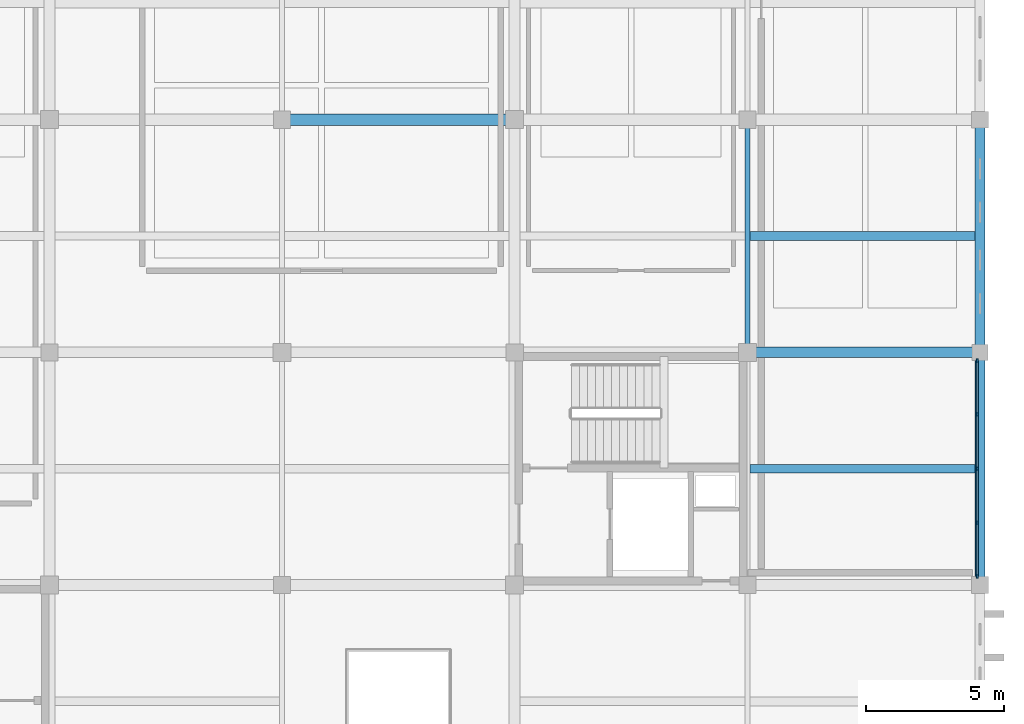
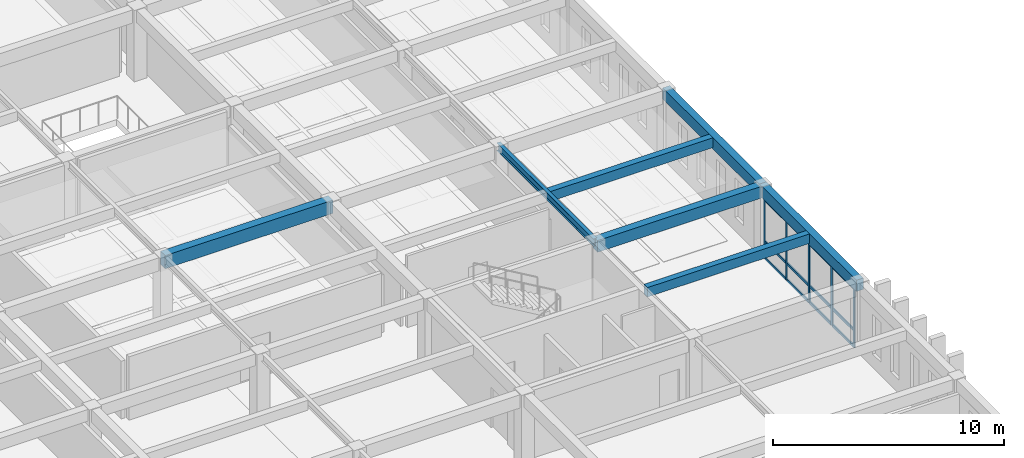
# One storey, part 13 of 47: 17 members, 7 beams, 1 element without a shape of its own.
"""IFC4 building model written with IfcOpenShell, lengths in metres."""

from ifc_helpers import new_model, si_unit, direction, frame, origin, origin_2d, place, context, subcontext, project, spatial, rectangle, i_section, extrude, material, layer, layer_set, material_profile, profile_set, type_object, element, aggregate, save


model = new_model("IFC4")

# Units and contexts
model_context = context("Model", 3, precision=1e-05, world=origin(), true_north=direction((0.0, 1.0)))
body_context = subcontext(model_context, "Body", "Model", "MODEL_VIEW")
ifc_project = project(units=[si_unit("LENGTHUNIT", "METRE"), si_unit("AREAUNIT", "SQUARE_METRE"), si_unit("VOLUMEUNIT", "CUBIC_METRE"), si_unit("PLANEANGLEUNIT", "RADIAN"), si_unit("MASSUNIT", "GRAM", prefix="KILO")], contexts=[model_context])

# Site, building, storey
site_placement = place(None, origin())
site = spatial("IfcSite", under=ifc_project, at=site_placement, CompositionType="ELEMENT")
building_placement = place(site_placement, origin())
building = spatial("IfcBuilding", under=site, at=building_placement, Name="Kveldsbrygga Polytechnic", CompositionType="ELEMENT")
storey_placement = place(building_placement, frame((0.0, 0.0, 13.93994140625)))
storey = spatial("IfcBuildingStorey", under=building, at=storey_placement, Name="L03", CompositionType="ELEMENT", Elevation=13.93994140625)

# Beams
ifc_material_1 = material(Name="Concrete C35/45", Category="concrete")
ifc_material_profile_1 = material_profile(ifc_material_1, rectangle(XDim=0.3798828125, YDim=0.6201171875, at=origin_2d()), Name="RC 380x620")
ifc_profile_set_1 = profile_set([ifc_material_profile_1], Name="Concrete C35/45")
beam_type_1 = type_object("IfcBeamType", Name="BM-RC-380x620", PredefinedType="BEAM", material=ifc_profile_set_1)
beam_1_placement = place(storey_placement, frame((159.60009765625, 42.0, 3.43994140625), z_axis=(1.0, 0.0, 0.0), x_axis=(0.0, 1.0, 0.0)))
element("IfcBeam", 1, at=beam_1_placement, inside=storey, type_object=beam_type_1, Name="Primary Beam BMX-L03-19to20-05", PredefinedType="BEAM", context=body_context, shape_type="SweptSolid", body=[
    extrude(rectangle(XDim=0.3798828125, YDim=0.6201171875, at=origin_2d()), origin(), (0.0, 0.0, 1.0), 8.39990234375),
])
ifc_material_profile_2 = material_profile(ifc_material_1, rectangle(XDim=0.39990234375, YDim=0.699951171875, at=origin_2d()), Name="RC 400x700")
ifc_profile_set_2 = profile_set([ifc_material_profile_2], Name="Concrete C35/45")
beam_type_2 = type_object("IfcBeamType", Name="BM-RC-400x700", PredefinedType="BEAM", material=ifc_profile_set_2)
beam_2_placement = place(storey_placement, frame((142.800048828125, 50.39990234375, 3.400146484375), z_axis=(1.0, 0.0, 0.0), x_axis=(0.0, 1.0, 0.0)))
element("IfcBeam", 2, at=beam_2_placement, inside=storey, type_object=beam_type_2, Name="Primary Beam BMX-L03-17to18-06", PredefinedType="BEAM", context=body_context, shape_type="SweptSolid", body=[
    extrude(rectangle(XDim=0.39990234375, YDim=0.699951171875, at=origin_2d()), origin(), (0.0, 0.0, 1.0), 8.39990234375),
])
ifc_material_profile_3 = material_profile(ifc_material_1, rectangle(XDim=0.35009765625, YDim=0.60009765625, at=origin_2d()), Name="RC 350x600")
ifc_profile_set_3 = profile_set([ifc_material_profile_3], Name="Concrete C35/45")
beam_type_3 = type_object("IfcBeamType", Name="BM-SPANDREL-600", PredefinedType="T_BEAM", material=ifc_profile_set_3)
for number, where, z_axis, x_axis, name in (
    (3, (168.0, 33.60009765625, 3.449951171875), (0.0, 1.0, 0.0), (-1.0, 0.0, 0.0), "Primary Beam BMY-L03-20-04to05"),
    (4, (168.0, 42.0, 3.449951171875), (0.0, 1.0, 0.0), (-1.0, 0.0, 0.0), "Primary Beam BMY-L03-20-05to06"),
):
    element("IfcBeam", number, at=place(storey_placement, frame(where, z_axis=z_axis, x_axis=x_axis)), inside=storey, type_object=beam_type_3, Name=name, PredefinedType="T_BEAM", context=body_context, shape_type="SweptSolid", body=[
        extrude(rectangle(XDim=0.35009765625, YDim=0.60009765625, at=origin_2d()), origin(), (0.0, 0.0, 1.0), 8.39990234375),
    ])
ifc_material_2 = material(Name="Steel S355", Category="steel")
ifc_material_profile_4 = material_profile(ifc_material_2, i_section(OverallWidth=0.179931640625, OverallDepth=0.39990234375, WebThickness=0.008544921875, FlangeThickness=0.013427734375, FilletRadius=0.02099609375, at=origin_2d()), Name="IPE 400")
ifc_profile_set_4 = profile_set([ifc_material_profile_4], Name="Steel S355")
beam_type_4 = type_object("IfcBeamType", Name="BM-STL-IPE400", PredefinedType="BEAM", material=ifc_profile_set_4)
beam_3_placement = place(storey_placement, frame((159.60009765625, 42.0, 3.550048828125), z_axis=(0.0, 1.0, 0.0), x_axis=(-1.0, 0.0, 0.0)))
element("IfcBeam", 5, at=beam_3_placement, inside=storey, type_object=beam_type_4, Name="Primary Beam BMY-L03-19-05to06", PredefinedType="BEAM", context=body_context, shape_type="SweptSolid", body=[
    extrude(i_section(OverallWidth=0.179931640625, OverallDepth=0.39990234375, WebThickness=0.008544921875, FlangeThickness=0.013427734375, FilletRadius=0.02099609375, at=origin_2d()), origin(), (0.0, 0.0, 1.0), 8.39990234375),
])

# Curtain wall, members
ifc_material_3 = material(Name="Anodised aluminium AW-6060", Category="aluminium")
ifc_layer = layer(ifc_material_3, 0.199951171875)
ifc_layer_set = layer_set([ifc_layer], Name="Anodised aluminium AW-6060")
curtain_wall_type = type_object("IfcCurtainWallType", Name="CW-LANC-E", PredefinedType="USERDEFINED", material=ifc_layer_set)
curtain_wall_placement = place(storey_placement, origin())
curtain_wall = element("IfcCurtainWall", 6, at=curtain_wall_placement, inside=storey, type_object=curtain_wall_type, Name="Curtain Wall CW-L03-Y-20-04", ObjectType="UNITISED CURTAIN WALL", PredefinedType="USERDEFINED")
ifc_material_profile_5 = material_profile(ifc_material_3, rectangle(XDim=0.06005859375, YDim=0.139892578125, at=origin_2d()), Name="ALU 60x140")
ifc_profile_set_5 = profile_set([ifc_material_profile_5], Name="Anodised aluminium AW-6060")
member_type_1 = type_object("IfcMemberType", Name="CW-MUL-140", PredefinedType="MULLION", material=ifc_profile_set_5)
member_1_placement = place(storey_placement, frame((167.89990234375, 33.9150390625, 0.0), z_axis=(0.0, 0.0, 1.0), x_axis=(-1.0, 0.0, 0.0)))
member_1 = element("IfcMember", 7, at=member_1_placement, type_object=member_type_1, Name="CW-05 mullion 1", PredefinedType="MULLION", context=body_context, shape_type="SweptSolid", body=[
    extrude(rectangle(XDim=0.06005859375, YDim=0.139892578125, at=origin_2d()), origin(), (0.0, 0.0, 1.0), 3.150146484375),
])
member_2_placement = place(storey_placement, frame((167.89990234375, 35.844970703125, 0.0), z_axis=(0.0, 0.0, 1.0), x_axis=(-1.0, 0.0, 0.0)))
member_2 = element("IfcMember", 8, at=member_2_placement, type_object=member_type_1, Name="CW-05 mullion 2", PredefinedType="MULLION", context=body_context, shape_type="SweptSolid", body=[
    extrude(rectangle(XDim=0.06005859375, YDim=0.139892578125, at=origin_2d()), origin(), (0.0, 0.0, 1.0), 3.150146484375),
])
member_3_placement = place(storey_placement, frame((167.89990234375, 37.804931640625, 0.0), z_axis=(0.0, 0.0, 1.0), x_axis=(-1.0, 0.0, 0.0)))
member_3 = element("IfcMember", 9, at=member_3_placement, type_object=member_type_1, Name="CW-05 mullion 3", PredefinedType="MULLION", context=body_context, shape_type="SweptSolid", body=[
    extrude(rectangle(XDim=0.06005859375, YDim=0.139892578125, at=origin_2d()), origin(), (0.0, 0.0, 1.0), 3.150146484375),
])
member_4_placement = place(storey_placement, frame((167.89990234375, 39.764892578125, 0.0), z_axis=(0.0, 0.0, 1.0), x_axis=(-1.0, 0.0, 0.0)))
member_4 = element("IfcMember", 10, at=member_4_placement, type_object=member_type_1, Name="CW-05 mullion 4", PredefinedType="MULLION", context=body_context, shape_type="SweptSolid", body=[
    extrude(rectangle(XDim=0.06005859375, YDim=0.139892578125, at=origin_2d()), origin(), (0.0, 0.0, 1.0), 3.150146484375),
])
member_5_placement = place(storey_placement, frame((167.89990234375, 41.695068359375, 0.0), z_axis=(0.0, 0.0, 1.0), x_axis=(-1.0, 0.0, 0.0)))
member_5 = element("IfcMember", 11, at=member_5_placement, type_object=member_type_1, Name="CW-05 mullion 5", PredefinedType="MULLION", context=body_context, shape_type="SweptSolid", body=[
    extrude(rectangle(XDim=0.06005859375, YDim=0.139892578125, at=origin_2d()), origin(), (0.0, 0.0, 1.0), 3.150146484375),
])
ifc_material_profile_6 = material_profile(ifc_material_3, rectangle(XDim=0.06005859375, YDim=0.14990234375, at=origin_2d()), Name="ALU 60x150")
ifc_profile_set_6 = profile_set([ifc_material_profile_6], Name="Anodised aluminium AW-6060")
member_type_2 = type_object("IfcMemberType", Name="CW-TRN-150", PredefinedType="USERDEFINED", material=ifc_profile_set_6)
member_6_placement = place(storey_placement, frame((167.89990234375, 33.945068359375, 0.030029296875), z_axis=(0.0, 1.0, 0.0), x_axis=(-1.0, 0.0, 0.0)))
member_6 = element("IfcMember", 12, at=member_6_placement, type_object=member_type_2, Name="CW-05 transom 1.1", ObjectType="TRANSOM", PredefinedType="USERDEFINED", context=body_context, shape_type="SweptSolid", body=[
    extrude(rectangle(XDim=0.06005859375, YDim=0.14990234375, at=origin_2d()), origin(), (0.0, 0.0, 1.0), 1.869873046875),
])
member_7_placement = place(storey_placement, frame((167.89990234375, 33.945068359375, 0.900146484375), z_axis=(0.0, 1.0, 0.0), x_axis=(-1.0, 0.0, 0.0)))
member_7 = element("IfcMember", 13, at=member_7_placement, type_object=member_type_2, Name="CW-05 transom 1.2", ObjectType="TRANSOM", PredefinedType="USERDEFINED", context=body_context, shape_type="SweptSolid", body=[
    extrude(rectangle(XDim=0.06005859375, YDim=0.14990234375, at=origin_2d()), origin(), (0.0, 0.0, 1.0), 1.869873046875),
])
member_8_placement = place(storey_placement, frame((167.89990234375, 33.945068359375, 3.1201171875), z_axis=(0.0, 1.0, 0.0), x_axis=(-1.0, 0.0, 0.0)))
member_8 = element("IfcMember", 14, at=member_8_placement, type_object=member_type_2, Name="CW-05 transom 1.3", ObjectType="TRANSOM", PredefinedType="USERDEFINED", context=body_context, shape_type="SweptSolid", body=[
    extrude(rectangle(XDim=0.06005859375, YDim=0.14990234375, at=origin_2d()), origin(), (0.0, 0.0, 1.0), 1.869873046875),
])
member_9_placement = place(storey_placement, frame((167.89990234375, 35.875, 0.030029296875), z_axis=(0.0, 1.0, 0.0), x_axis=(-1.0, 0.0, 0.0)))
member_9 = element("IfcMember", 15, at=member_9_placement, type_object=member_type_2, Name="CW-05 transom 2.1", ObjectType="TRANSOM", PredefinedType="USERDEFINED", context=body_context, shape_type="SweptSolid", body=[
    extrude(rectangle(XDim=0.06005859375, YDim=0.14990234375, at=origin_2d()), origin(), (0.0, 0.0, 1.0), 1.89990234375),
])
member_10_placement = place(storey_placement, frame((167.89990234375, 35.875, 0.900146484375), z_axis=(0.0, 1.0, 0.0), x_axis=(-1.0, 0.0, 0.0)))
member_10 = element("IfcMember", 16, at=member_10_placement, type_object=member_type_2, Name="CW-05 transom 2.2", ObjectType="TRANSOM", PredefinedType="USERDEFINED", context=body_context, shape_type="SweptSolid", body=[
    extrude(rectangle(XDim=0.06005859375, YDim=0.14990234375, at=origin_2d()), origin(), (0.0, 0.0, 1.0), 1.89990234375),
])
member_11_placement = place(storey_placement, frame((167.89990234375, 35.875, 3.1201171875), z_axis=(0.0, 1.0, 0.0), x_axis=(-1.0, 0.0, 0.0)))
member_11 = element("IfcMember", 17, at=member_11_placement, type_object=member_type_2, Name="CW-05 transom 2.3", ObjectType="TRANSOM", PredefinedType="USERDEFINED", context=body_context, shape_type="SweptSolid", body=[
    extrude(rectangle(XDim=0.06005859375, YDim=0.14990234375, at=origin_2d()), origin(), (0.0, 0.0, 1.0), 1.89990234375),
])
member_12_placement = place(storey_placement, frame((167.89990234375, 37.8349609375, 0.030029296875), z_axis=(0.0, 1.0, 0.0), x_axis=(-1.0, 0.0, 0.0)))
member_12 = element("IfcMember", 18, at=member_12_placement, type_object=member_type_2, Name="CW-05 transom 3.1", ObjectType="TRANSOM", PredefinedType="USERDEFINED", context=body_context, shape_type="SweptSolid", body=[
    extrude(rectangle(XDim=0.06005859375, YDim=0.14990234375, at=origin_2d()), origin(), (0.0, 0.0, 1.0), 1.900146484375),
])
member_13_placement = place(storey_placement, frame((167.89990234375, 37.8349609375, 0.900146484375), z_axis=(0.0, 1.0, 0.0), x_axis=(-1.0, 0.0, 0.0)))
member_13 = element("IfcMember", 19, at=member_13_placement, type_object=member_type_2, Name="CW-05 transom 3.2", ObjectType="TRANSOM", PredefinedType="USERDEFINED", context=body_context, shape_type="SweptSolid", body=[
    extrude(rectangle(XDim=0.06005859375, YDim=0.14990234375, at=origin_2d()), origin(), (0.0, 0.0, 1.0), 1.900146484375),
])
member_14_placement = place(storey_placement, frame((167.89990234375, 37.8349609375, 3.1201171875), z_axis=(0.0, 1.0, 0.0), x_axis=(-1.0, 0.0, 0.0)))
member_14 = element("IfcMember", 20, at=member_14_placement, type_object=member_type_2, Name="CW-05 transom 3.3", ObjectType="TRANSOM", PredefinedType="USERDEFINED", context=body_context, shape_type="SweptSolid", body=[
    extrude(rectangle(XDim=0.06005859375, YDim=0.14990234375, at=origin_2d()), origin(), (0.0, 0.0, 1.0), 1.900146484375),
])
member_15_placement = place(storey_placement, frame((167.89990234375, 39.794921875, 0.030029296875), z_axis=(0.0, 1.0, 0.0), x_axis=(-1.0, 0.0, 0.0)))
member_15 = element("IfcMember", 21, at=member_15_placement, type_object=member_type_2, Name="CW-05 transom 4.1", ObjectType="TRANSOM", PredefinedType="USERDEFINED", context=body_context, shape_type="SweptSolid", body=[
    extrude(rectangle(XDim=0.06005859375, YDim=0.14990234375, at=origin_2d()), origin(), (0.0, 0.0, 1.0), 1.8701171875),
])
member_16_placement = place(storey_placement, frame((167.89990234375, 39.794921875, 0.900146484375), z_axis=(0.0, 1.0, 0.0), x_axis=(-1.0, 0.0, 0.0)))
member_16 = element("IfcMember", 22, at=member_16_placement, type_object=member_type_2, Name="CW-05 transom 4.2", ObjectType="TRANSOM", PredefinedType="USERDEFINED", context=body_context, shape_type="SweptSolid", body=[
    extrude(rectangle(XDim=0.06005859375, YDim=0.14990234375, at=origin_2d()), origin(), (0.0, 0.0, 1.0), 1.8701171875),
])
member_17_placement = place(storey_placement, frame((167.89990234375, 39.794921875, 3.1201171875), z_axis=(0.0, 1.0, 0.0), x_axis=(-1.0, 0.0, 0.0)))
member_17 = element("IfcMember", 23, at=member_17_placement, type_object=member_type_2, Name="CW-05 transom 4.3", ObjectType="TRANSOM", PredefinedType="USERDEFINED", context=body_context, shape_type="SweptSolid", body=[
    extrude(rectangle(XDim=0.06005859375, YDim=0.14990234375, at=origin_2d()), origin(), (0.0, 0.0, 1.0), 1.8701171875),
])
aggregate(curtain_wall, [member_1, member_2, member_3, member_4, member_5, member_6, member_7, member_8, member_9, member_10, member_11, member_12, member_13, member_14, member_15, member_16, member_17])

# Beams
ifc_material_profile_7 = material_profile(ifc_material_1, rectangle(XDim=0.300048828125, YDim=0.5, at=origin_2d()), Name="RC 300x500")
ifc_profile_set_7 = profile_set([ifc_material_profile_7], Name="Concrete C35/45")
beam_type_5 = type_object("IfcBeamType", Name="JST-RC-300x500", PredefinedType="JOIST", material=ifc_profile_set_7)
beam_4_placement = place(storey_placement, frame((159.68994140625, 37.800048828125, 3.5), z_axis=(1.0, 0.0, 0.0), x_axis=(0.0, 1.0, 0.0)))
element("IfcBeam", 24, at=beam_4_placement, inside=storey, type_object=beam_type_5, Name="Secondary Joist JST-L03-19-04", PredefinedType="JOIST", context=body_context, shape_type="SweptSolid", body=[
    extrude(rectangle(XDim=0.300048828125, YDim=0.5, at=origin_2d()), origin(), (0.0, 0.0, 1.0), 8.135009765625),
])
ifc_material_profile_8 = material_profile(ifc_material_1, rectangle(XDim=0.320068359375, YDim=0.52001953125, at=origin_2d()), Name="RC 320x520")
ifc_profile_set_8 = profile_set([ifc_material_profile_8], Name="Concrete C35/45")
beam_type_6 = type_object("IfcBeamType", Name="JST-RC-320x520", PredefinedType="JOIST", material=ifc_profile_set_8)
beam_5_placement = place(storey_placement, frame((159.68994140625, 46.199951171875, 3.489990234375), z_axis=(1.0, 0.0, 0.0), x_axis=(0.0, 1.0, 0.0)))
element("IfcBeam", 25, at=beam_5_placement, inside=storey, type_object=beam_type_6, Name="Secondary Joist JST-L03-19-05", PredefinedType="JOIST", context=body_context, shape_type="SweptSolid", body=[
    extrude(rectangle(XDim=0.320068359375, YDim=0.52001953125, at=origin_2d()), origin(), (0.0, 0.0, 1.0), 8.135009765625),
])

save(model, "model.ifc")
